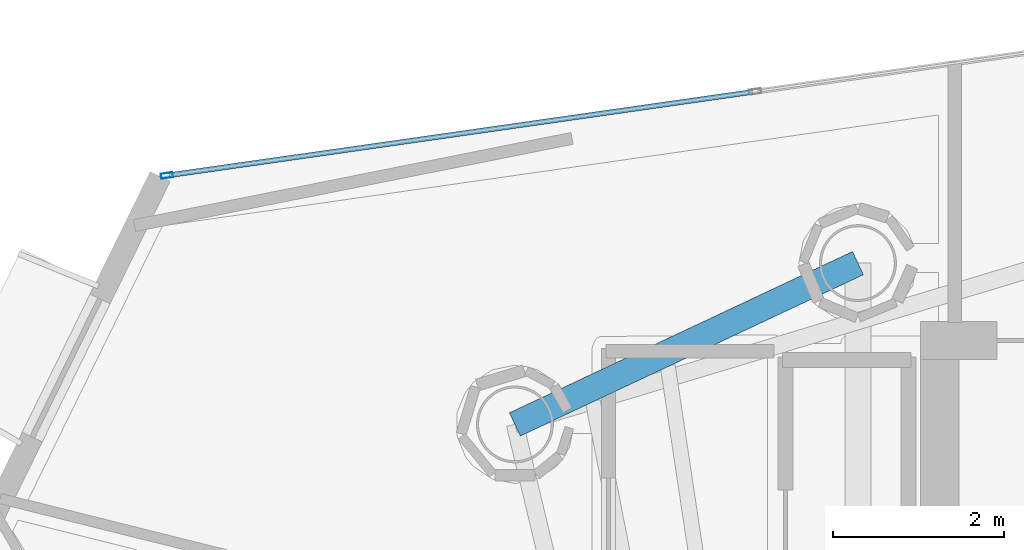
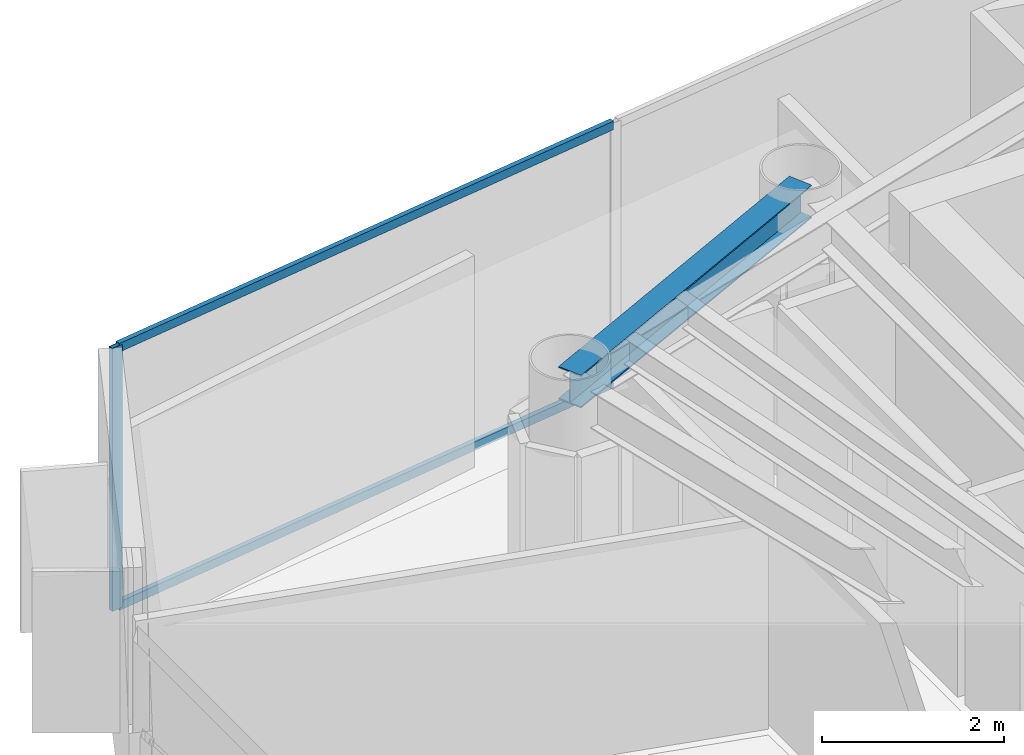
# One storey, part 11 of 25: 3 members, 1 beam, 1 element without a shape of its own.
"""IFC4 building model written with IfcOpenShell, lengths in metres."""

from ifc_helpers import new_model, si_unit, direction, frame, origin, origin_2d, place, context, subcontext, project, spatial, hollow_rectangle, i_section, extrude, material, layer, layer_set, material_profile, profile_set, type_object, element, aggregate, save


model = new_model("IFC4")

# Units and contexts
model_context = context("Model", 3, precision=1e-05, world=origin(), true_north=direction((0.0, 1.0)))
body_context = subcontext(model_context, "Body", "Model", "MODEL_VIEW")
ifc_project = project(units=[si_unit("LENGTHUNIT", "METRE"), si_unit("AREAUNIT", "SQUARE_METRE"), si_unit("VOLUMEUNIT", "CUBIC_METRE"), si_unit("PLANEANGLEUNIT", "RADIAN"), si_unit("MASSUNIT", "GRAM", prefix="KILO")], contexts=[model_context])

# Site, building, storey
site_placement = place(None, origin())
site = spatial("IfcSite", under=ifc_project, at=site_placement, CompositionType="ELEMENT")
building_placement = place(site_placement, origin())
building = spatial("IfcBuilding", under=site, at=building_placement, Name="Qianvela Tower", CompositionType="ELEMENT")
storey_placement = place(building_placement, frame((0.0, 0.0, 288.0)))
storey = spatial("IfcBuildingStorey", under=building, at=storey_placement, Name="L74", CompositionType="ELEMENT", Elevation=288.0)

# Beam
ifc_material_1 = material(Name="Steel Q355B", Category="steel")
ifc_material_profile_1 = material_profile(ifc_material_1, i_section(OverallWidth=0.300048828125, OverallDepth=0.43994140625, WebThickness=0.010986328125, FlangeThickness=0.01806640625, at=origin_2d()), Name="HM440x300x11x18")
ifc_profile_set_1 = profile_set([ifc_material_profile_1], Name="Steel Q355B")
beam_type = type_object("IfcBeamType", Name="BM-HM440-COLL", PredefinedType="BEAM", material=ifc_profile_set_1)
beam_placement = place(storey_placement, frame((28.60009765625, 33.550048828125, 3.298095703125), z_axis=(-0.904957143986, -0.425502723316, 0.0), x_axis=(0.425502723316, -0.904957143986, 0.0)))
element("IfcBeam", 1, at=beam_placement, inside=storey, type_object=beam_type, Name="L74 Radial Primary Floor Girder 3", PredefinedType="BEAM", context=body_context, shape_type="SweptSolid", body=[
    extrude(i_section(OverallWidth=0.300048828125, OverallDepth=0.43994140625, WebThickness=0.010986328125, FlangeThickness=0.01806640625, at=origin_2d()), origin(), (0.0, 0.0, 1.0), 4.4345703125),
])

# Curtain wall, members
ifc_material_2 = material(Name="Anodised Architectural Aluminium and Low-E Glass", Category="aluminium")
ifc_layer = layer(ifc_material_2, 0.14990234375)
ifc_layer_set = layer_set([ifc_layer], Name="Anodised Architectural Aluminium and Low-E Glass")
curtain_wall_type = type_object("IfcCurtainWallType", Name="CW-COLIV-Z78", PredefinedType="USERDEFINED", material=ifc_layer_set)
curtain_wall_placement = place(storey_placement, origin())
curtain_wall = element("IfcCurtainWall", 2, at=curtain_wall_placement, inside=storey, type_object=curtain_wall_type, Name="L74 CW-COLIV-Z78 Curtain Wall 02C", ObjectType="CURTAIN_WALL_SYSTEM", PredefinedType="USERDEFINED")
ifc_material_3 = material(Name="Anodised Architectural Aluminium 6063-T6", Category="aluminium")
ifc_material_profile_2 = material_profile(ifc_material_3, hollow_rectangle(XDim=0.06005859375, YDim=0.139892578125, WallThickness=0.00439453125, at=origin_2d()), Name="ALU-MULL-60x140")
ifc_profile_set_2 = profile_set([ifc_material_profile_2], Name="Anodised Architectural Aluminium 6063-T6")
member_type_1 = type_object("IfcMemberType", Name="CW-COLIV-Z78-MULL", PredefinedType="MULLION", material=ifc_profile_set_2)
member_1_placement = place(storey_placement, frame((20.515380859375, 34.57470703125, 0.0), z_axis=(0.0, 0.0, 1.0), x_axis=(0.141362204424, -0.989957942117, 0.0)))
member_1 = element("IfcMember", 3, at=member_1_placement, type_object=member_type_1, Name="CW-6 mullion 3", PredefinedType="MULLION", context=body_context, shape_type="SweptSolid", body=[
    extrude(hollow_rectangle(XDim=0.06005859375, YDim=0.139892578125, WallThickness=0.00439453125, at=origin_2d()), origin(), (0.0, 0.0, 1.0), 3.52001953125),
])
ifc_material_4 = material(Name="Anodised Architectural Aluminium 6063-T6", Category="aluminium")
ifc_material_profile_3 = material_profile(ifc_material_4, hollow_rectangle(XDim=0.06005859375, YDim=0.114990234375, WallThickness=0.00390625, at=origin_2d()), Name="ALU-TRAN-60x115")
ifc_profile_set_3 = profile_set([ifc_material_profile_3], Name="Anodised Architectural Aluminium 6063-T6")
member_type_2 = type_object("IfcMemberType", Name="CW-COLIV-Z78-TRAN", PredefinedType="USERDEFINED", material=ifc_profile_set_3)
member_2_placement = place(storey_placement, frame((27.3681640625, 35.55322265625, 0.030029296875), z_axis=(-0.989956576947, -0.141371764361, 0.0), x_axis=(0.141371764361, -0.989956576947, 0.0)))
member_2 = element("IfcMember", 4, at=member_2_placement, type_object=member_type_2, Name="CW-6 transom 2.1", ObjectType="TRANSOM", PredefinedType="USERDEFINED", context=body_context, shape_type="SweptSolid", body=[
    extrude(hollow_rectangle(XDim=0.06005859375, YDim=0.114990234375, WallThickness=0.00390625, at=origin_2d()), origin(), (0.0, 0.0, 1.0), 6.892333984375),
])
member_3_placement = place(storey_placement, frame((27.3681640625, 35.55322265625, 3.489990234375), z_axis=(-0.989956576947, -0.141371764361, 0.0), x_axis=(0.141371764361, -0.989956576947, 0.0)))
member_3 = element("IfcMember", 5, at=member_3_placement, type_object=member_type_2, Name="CW-6 transom 2.2", ObjectType="TRANSOM", PredefinedType="USERDEFINED", context=body_context, shape_type="SweptSolid", body=[
    extrude(hollow_rectangle(XDim=0.06005859375, YDim=0.114990234375, WallThickness=0.00390625, at=origin_2d()), origin(), (0.0, 0.0, 1.0), 6.892333984375),
])
aggregate(curtain_wall, [member_1, member_2, member_3])

save(model, "model.ifc")
